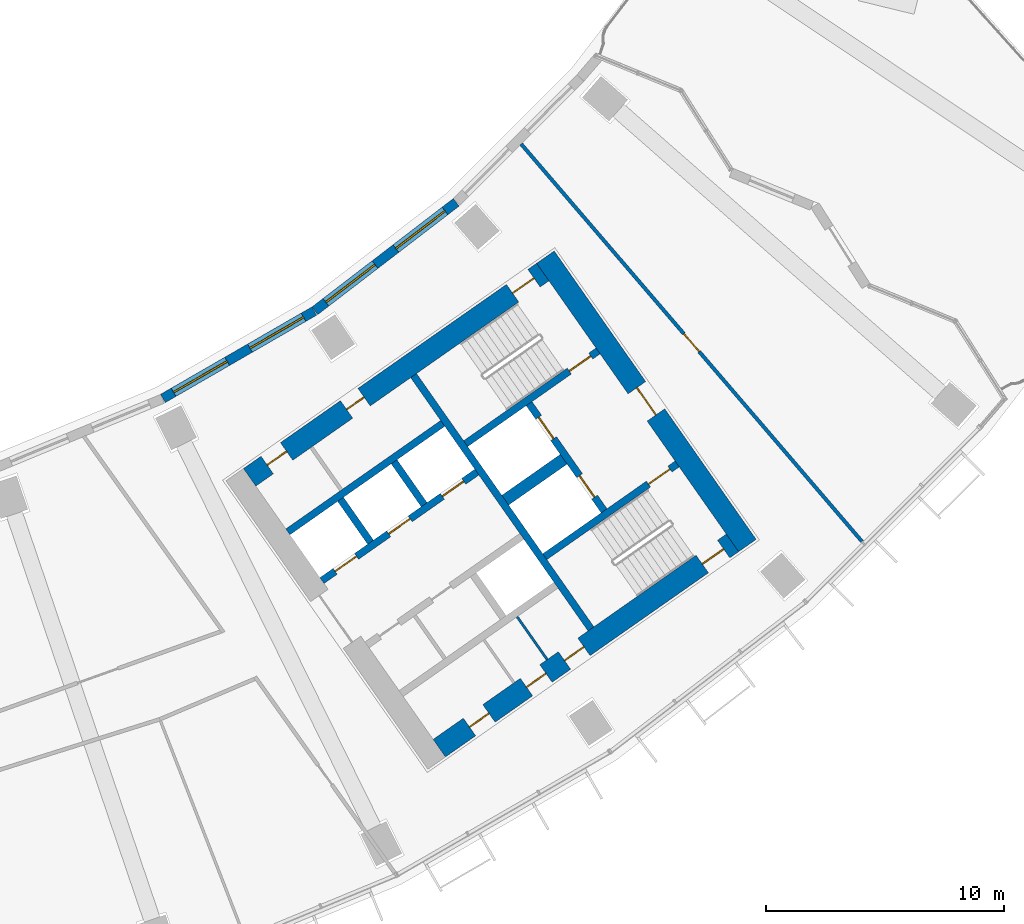
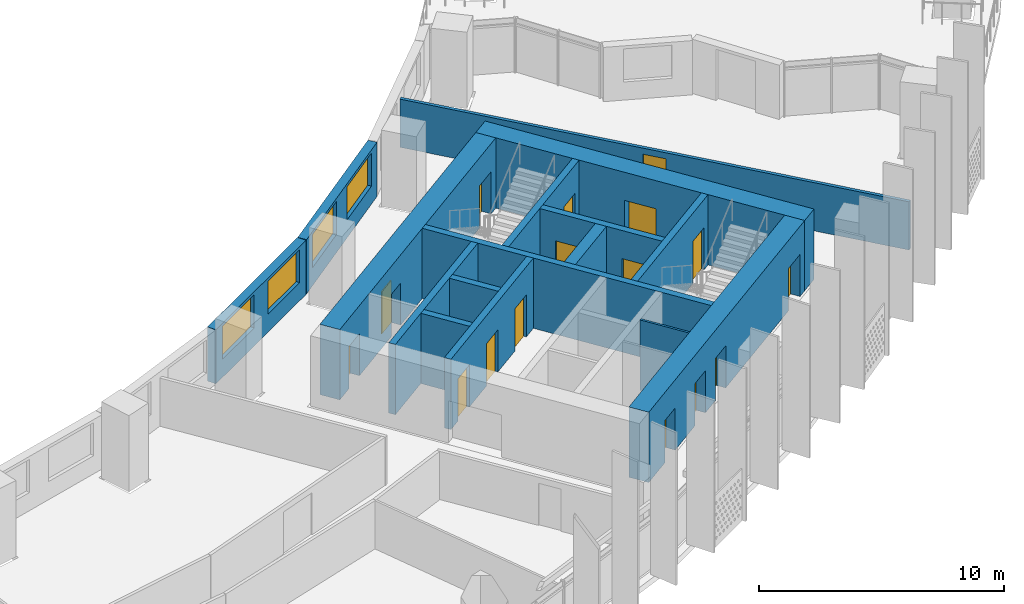
# One storey, part 7 of 33: 16 doors, 16 walls, 4 windows, 20 openings.
"""IFC4 building model written with IfcOpenShell, lengths in metres."""

import ifcopenshell
import ifcopenshell.guid

model = None  # the IFC model being written
_history = None  # IfcOwnerHistory: only IFC2X3 demands one
_inside = {}  # id of a spatial element -> (the spatial element, [elements in it])
_under = {}  # id of a project, library or spatial element -> (it, [spatial elements below it])
_declared = {}  # id of a project -> (the project, [libraries it declares])
_typed = {}  # id of a type object -> (the type object, [elements of that type])
_made_of = {}  # id of a material, layer set ... -> (it, [elements and type objects made of it])


def new_model(schema):
    """Start an empty IFC model of exactly this schema.

    Asked for "IFC4X3", IfcOpenShell would pick the latest addendum, in which some entities
    have other attributes; the version numbers below select the first issue.
    IFC2X3 requires an IfcOwnerHistory on every rooted entity: one is made here for all.
    """
    global model, _history
    if schema == "IFC4X3":
        model = ifcopenshell.file(schema_version=(4, 3, 0, 0))
    else:
        model = ifcopenshell.file(schema=schema)
    _inside.clear()
    _under.clear()
    _declared.clear()
    _typed.clear()
    _made_of.clear()
    _history = None
    if model.schema == "IFC2X3":
        org = make("IfcOrganization", Name="unknown")
        user = make(
            "IfcPersonAndOrganization",
            ThePerson=make("IfcPerson", FamilyName="unknown"),
            TheOrganization=org,
        )
        app = make(
            "IfcApplication",
            ApplicationDeveloper=org,
            Version="unknown",
            ApplicationFullName="unknown",
            ApplicationIdentifier="unknown",
        )
        _history = make(
            "IfcOwnerHistory",
            OwningUser=user,
            OwningApplication=app,
            ChangeAction="ADDED",
            CreationDate=0,
        )
    return model


def make(cls, **values):
    """One entity of the class cls with the attributes given. An attribute that is None is left unset."""
    return model.create_entity(
        cls, **{name: value for name, value in values.items() if value is not None}
    )


def rooted(cls, **values):
    """An entity with a GlobalId (a new one), such as an element, a storey or a relation."""
    return make(cls, GlobalId=ifcopenshell.guid.new(), OwnerHistory=_history, **values)


def si_unit(unit_type, name, prefix=None):
    """IfcSIUnit, for example si_unit("LENGTHUNIT", "METRE", prefix="MILLI")."""
    return make("IfcSIUnit", UnitType=unit_type, Prefix=prefix, Name=name)


def assignment(units):
    """IfcUnitAssignment: the units of a project."""
    return None if units is None else make("IfcUnitAssignment", Units=units)


def point(xyz):
    """IfcCartesianPoint."""
    return None if xyz is None else make("IfcCartesianPoint", Coordinates=xyz)


def direction(xyz):
    """IfcDirection."""
    return None if xyz is None else make("IfcDirection", DirectionRatios=xyz)


def frame(location, z_axis=None, x_axis=None):
    """IfcAxis2Placement3D, a coordinate frame: its origin and axes. An axis left out is left unset."""
    return make(
        "IfcAxis2Placement3D",
        Location=point(location),
        Axis=direction(z_axis),
        RefDirection=direction(x_axis),
    )


def frame_2d(location, x_axis=None):
    """IfcAxis2Placement2D, a coordinate frame in the plane: its origin and x axis."""
    return make(
        "IfcAxis2Placement2D", Location=point(location), RefDirection=direction(x_axis)
    )


def origin():
    """The frame at (0, 0, 0) with its axes left unset."""
    return frame((0.0, 0.0, 0.0))


def place(relative_to, where):
    """IfcLocalPlacement: puts the frame where relative to a parent placement (None: the world)."""
    return make(
        "IfcLocalPlacement", PlacementRelTo=relative_to, RelativePlacement=where
    )


def context(
    kind, dimensions, precision=None, world=None, true_north=None, identifier=None
):
    """IfcGeometricRepresentationContext, for example the 3D "Model" context."""
    return make(
        "IfcGeometricRepresentationContext",
        ContextIdentifier=identifier,
        ContextType=kind,
        CoordinateSpaceDimension=dimensions,
        Precision=precision,
        WorldCoordinateSystem=world,
        TrueNorth=true_north,
    )


def subcontext(parent, identifier, kind, view, scale=None):
    """IfcGeometricRepresentationSubContext, for example "Body" below "Model"."""
    return make(
        "IfcGeometricRepresentationSubContext",
        ContextIdentifier=identifier,
        ContextType=kind,
        ParentContext=parent,
        TargetScale=scale,
        TargetView=view,
    )


def project(units=None, contexts=None):
    """IfcProject with its units and contexts."""
    return rooted(
        "IfcProject",
        Name="project",
        RepresentationContexts=contexts,
        UnitsInContext=assignment(units),
    )


def spatial(cls, under=None, at=None, **own):
    """A site, building, storey or space (cls), placed at a placement, below another one or the project."""
    s = rooted(cls, ObjectPlacement=at, **own)
    if under is not None:
        _under.setdefault(under.id(), (under, []))[1].append(s)
    return s


def profile(cls, at=None, kind="AREA", **sizes):
    """A parametric profile (cls). Its sizes go by their IFC names, for example OverallWidth=200.0."""
    return make(cls, ProfileType=kind, Position=at, **sizes)


def rectangle(**sizes):
    """IfcRectangleProfileDef."""
    return profile("IfcRectangleProfileDef", **sizes)


def extrude(swept, where, along, depth):
    """IfcExtrudedAreaSolid: the profile swept, set in the frame where, extruded along a direction by depth."""
    return make(
        "IfcExtrudedAreaSolid",
        SweptArea=swept,
        Position=where,
        ExtrudedDirection=direction(along),
        Depth=depth,
    )


def shape(context_of_items, identifier, shape_type, items):
    """IfcShapeRepresentation: the items that make up one representation, for example the "Body"."""
    return make(
        "IfcShapeRepresentation",
        ContextOfItems=context_of_items,
        RepresentationIdentifier=identifier,
        RepresentationType=shape_type,
        Items=items,
    )


def material(Name=None, Category=None):
    """IfcMaterial."""
    return make("IfcMaterial", Name=Name, Category=Category)


def layer(
    of_material, thickness, ventilated=None, Name=None, Category=None, Priority=None
):
    """IfcMaterialLayer: one layer of a wall or slab, of a material (None: an air gap)."""
    return make(
        "IfcMaterialLayer",
        Material=of_material,
        LayerThickness=thickness,
        IsVentilated=ventilated,
        Name=Name,
        Category=Category,
        Priority=Priority,
    )


def layer_set(layers, Name=None):
    """IfcMaterialLayerSet."""
    return make("IfcMaterialLayerSet", MaterialLayers=layers, LayerSetName=Name)


def made_of(thing, what):
    """Note that an element or type object is made of a material, layer set ...; save() writes the relation."""
    if what is not None:
        _made_of.setdefault(what.id(), (what, []))[1].append(thing)
    return thing


def type_object(cls, material=None, **own):
    """A type object (cls), such as IfcWallType, which elements share."""
    return made_of(rooted(cls, **own), material)


def element(
    cls,
    number,
    at=None,
    inside=None,
    cuts=None,
    type_object=None,
    material=None,
    context=None,
    identifier="Body",
    shape_type=None,
    held_by="IfcProductDefinitionShape",
    body=None,
    shapes=None,
    **own,
):
    """One element of the class cls, such as IfcWall. Its Tag is "e" and its number.

    at: its placement. inside: the storey or other place that contains it. cuts: it is an
    opening in that element (IfcRelVoidsElement). A single representation is given by context,
    identifier, shape_type and body (its items); several are given by shapes. held_by: the class
    of the entity that holds the representations. save() writes the other relations.
    """
    e = rooted(cls, Tag="e%d" % number, ObjectPlacement=at, **own)
    if body is not None:
        shapes = [shape(context, identifier, shape_type, body)]
    if shapes is not None:
        e.Representation = make(held_by, Representations=shapes)
    if inside is not None:
        _inside.setdefault(inside.id(), (inside, []))[1].append(e)
    if cuts is not None:
        rooted(
            "IfcRelVoidsElement", RelatingBuildingElement=cuts, RelatedOpeningElement=e
        )
    if type_object is not None:
        _typed.setdefault(type_object.id(), (type_object, []))[1].append(e)
    return made_of(e, material)


def fill(opening, filler):
    """IfcRelFillsElement: the door or window that sits in an opening."""
    return rooted(
        "IfcRelFillsElement",
        RelatingOpeningElement=opening,
        RelatedBuildingElement=filler,
    )


def aggregate(whole, parts):
    """IfcRelAggregates: a whole, such as a stair, and the parts it consists of."""
    return rooted("IfcRelAggregates", RelatingObject=whole, RelatedObjects=parts)


def save(model, path):
    """Write the relations noted so far, then the file.

    IfcRelAggregates (storeys below a building ...), IfcRelContainedInSpatialStructure (elements
    in a storey), IfcRelDefinesByType, IfcRelAssociatesMaterial and IfcRelDeclares: one each for
    every whole, place, type object, material and project.
    """
    for whole, parts in _under.values():
        aggregate(whole, parts)
    for where, things in _inside.values():
        rooted(
            "IfcRelContainedInSpatialStructure",
            RelatedElements=things,
            RelatingStructure=where,
        )
    for kind, things in _typed.values():
        rooted("IfcRelDefinesByType", RelatedObjects=things, RelatingType=kind)
    for what, things in _made_of.values():
        rooted("IfcRelAssociatesMaterial", RelatedObjects=things, RelatingMaterial=what)
    for by, libraries in _declared.values():
        rooted("IfcRelDeclares", RelatingContext=by, RelatedDefinitions=libraries)
    model.write(path)


model = new_model("IFC4")

# Units and contexts
model_context = context("Model", 3, precision=1e-05, world=origin(), true_north=direction((0.0, 1.0)))
body_context = subcontext(model_context, "Body", "Model", "MODEL_VIEW")
ifc_project = project(units=[si_unit("LENGTHUNIT", "METRE"), si_unit("AREAUNIT", "SQUARE_METRE"), si_unit("VOLUMEUNIT", "CUBIC_METRE"), si_unit("PLANEANGLEUNIT", "RADIAN"), si_unit("MASSUNIT", "GRAM", prefix="KILO")], contexts=[model_context])

# Site, building, storey
site_placement = place(None, origin())
site = spatial("IfcSite", under=ifc_project, at=site_placement, CompositionType="ELEMENT")
building_placement = place(site_placement, origin())
building = spatial("IfcBuilding", under=site, at=building_placement, Name="Qamariyya Broadcast Tower", CompositionType="ELEMENT")
storey_placement = place(building_placement, frame((0.0, 0.0, 94.89990234375)))
storey = spatial("IfcBuildingStorey", under=building, at=storey_placement, Name="L20", CompositionType="ELEMENT", Elevation=94.89990234375)

# Wall, opening, door
ifc_material_1 = material(Name="Concrete C70/85", Category="concrete")
ifc_layer_1 = layer(ifc_material_1, 0.89990234375)
ifc_layer_set_1 = layer_set([ifc_layer_1], Name="Core wall 900 mm Concrete C70/85")
wall_type_1 = type_object("IfcWallType", Name="Core wall 900 mm Concrete C70/85", PredefinedType="SHEAR", material=ifc_layer_set_1)
wall_1_placement = place(storey_placement, frame((49.778564453125, -57.191162109375, 0.0), z_axis=(0.0, 0.0, 1.0), x_axis=(-0.573577477574, 0.819151315216, 0.0)))
wall_1 = element("IfcWall", 1, at=wall_1_placement, inside=storey, type_object=wall_type_1, Name="k-E-L20-WH", PredefinedType="SHEAR", context=body_context, shape_type="SweptSolid", body=[
    extrude(rectangle(XDim=14.800048828125, YDim=0.89990234375, at=frame_2d((7.39990234375, 0.0))), origin(), (0.0, 0.0, 1.0), 3.5),
])
opening_1_placement = place(wall_1_placement, frame((6.699951171875, 0.0, 0.0)))
opening_1 = element("IfcOpeningElement", 2, at=opening_1_placement, cuts=wall_1, Name="Opening KD2-E1", PredefinedType="OPENING", context=body_context, shape_type="SweptSolid", body=[
    extrude(rectangle(XDim=1.39990234375, YDim=2.10009765625, at=frame_2d((0.699951171875, 1.050048828125))), frame((0.0, 0.4599609375, 0.0), z_axis=(0.0, -1.0, 0.0), x_axis=(1.0, 0.0, 0.0)), (0.0, 0.0, 1.0), 0.919921875),
])
ifc_material_2 = material(Name="Steel fire-resisting door leaf", Category="steel")
door_type_1 = type_object("IfcDoorType", Name="Fire-fighting lobby door KD2", OperationType="DOUBLE_DOOR_SINGLE_SWING", PredefinedType="DOOR", material=ifc_material_2)
door_1_placement = place(opening_1_placement, origin())
door_1 = element("IfcDoor", 3, at=door_1_placement, inside=storey, type_object=door_type_1, Name="k-E-L20-WH-D14", OperationType="DOUBLE_DOOR_SINGLE_SWING", OverallHeight=2.10009765625, OverallWidth=1.39990234375, PredefinedType="DOOR", context=body_context, shape_type="SweptSolid", body=[
    extrude(rectangle(XDim=1.39990234375, YDim=2.10009765625, at=frame_2d((0.699951171875, 1.050048828125))), frame((0.0, 0.02490234375, 0.0), z_axis=(0.0, -1.0, 0.0), x_axis=(1.0, 0.0, 0.0)), (0.0, 0.0, 1.0), 0.050048828125),
])
fill(opening_1, door_1)

# Wall, openings, doors
wall_2_placement = place(storey_placement, frame((28.8544921875, -54.32421875, 0.0), z_axis=(0.0, 0.0, 1.0), x_axis=(0.819145767589, 0.573585400304, 0.0)))
wall_2 = element("IfcWall", 4, at=wall_2_placement, inside=storey, type_object=wall_type_1, Name="k-E-L20-WI", PredefinedType="SHEAR", context=body_context, shape_type="SweptSolid", body=[
    extrude(rectangle(XDim=15.04541015625, YDim=0.89990234375, at=frame_2d((7.522705078125, 0.0))), origin(), (0.0, 0.0, 1.0), 3.5),
])
opening_2_placement = place(wall_2_placement, frame((0.89990234375, 0.0, 0.0)))
opening_2 = element("IfcOpeningElement", 5, at=opening_2_placement, cuts=wall_2, Name="Opening KD7-E1", PredefinedType="OPENING", context=body_context, shape_type="SweptSolid", body=[
    extrude(rectangle(XDim=1.0, YDim=2.10009765625, at=frame_2d((0.5, 1.050048828125))), frame((0.0, 0.4599609375, 0.0), z_axis=(0.0, -1.0, 0.0), x_axis=(1.0, 0.0, 0.0)), (0.0, 0.0, 1.0), 0.919921875),
])
opening_3_placement = place(wall_2_placement, frame((4.97509765625, 0.0, 0.0)))
opening_3 = element("IfcOpeningElement", 6, at=opening_3_placement, cuts=wall_2, Name="Opening KD5-E1", PredefinedType="OPENING", context=body_context, shape_type="SweptSolid", body=[
    extrude(rectangle(XDim=0.89990234375, YDim=2.10009765625, at=frame_2d((0.449951171875, 1.050048828125))), frame((0.0, 0.4599609375, 0.0), z_axis=(0.0, -1.0, 0.0), x_axis=(1.0, 0.0, 0.0)), (0.0, 0.0, 1.0), 0.919921875),
])
opening_4_placement = place(wall_2_placement, frame((13.495361328125, 0.0, 0.0)))
opening_4 = element("IfcOpeningElement", 7, at=opening_4_placement, cuts=wall_2, Name="Opening KD1-E1", PredefinedType="OPENING", context=body_context, shape_type="SweptSolid", body=[
    extrude(rectangle(XDim=1.10009765625, YDim=2.10009765625, at=frame_2d((0.550048828125, 1.050048828125))), frame((0.0, 0.4599609375, 0.0), z_axis=(0.0, -1.0, 0.0), x_axis=(1.0, 0.0, 0.0)), (0.0, 0.0, 1.0), 0.919921875),
])
door_type_2 = type_object("IfcDoorType", Name="Accessible toilet door KD7", OperationType="SINGLE_SWING_LEFT", PredefinedType="DOOR", material=ifc_material_2)
door_2_placement = place(opening_2_placement, origin())
door_2 = element("IfcDoor", 8, at=door_2_placement, inside=storey, type_object=door_type_2, Name="k-E-L20-WI-D7", OperationType="SINGLE_SWING_LEFT", OverallHeight=2.10009765625, OverallWidth=1.0, PredefinedType="DOOR", context=body_context, shape_type="SweptSolid", body=[
    extrude(rectangle(XDim=1.0, YDim=2.10009765625, at=frame_2d((0.5, 1.050048828125))), frame((0.0, 0.02490234375, 0.0), z_axis=(0.0, -1.0, 0.0), x_axis=(1.0, 0.0, 0.0)), (0.0, 0.0, 1.0), 0.050048828125),
])
fill(opening_2, door_2)
door_type_3 = type_object("IfcDoorType", Name="Stair door KD1", OperationType="SINGLE_SWING_LEFT", PredefinedType="DOOR", material=ifc_material_2)
door_3_placement = place(opening_4_placement, origin())
door_3 = element("IfcDoor", 9, at=door_3_placement, inside=storey, type_object=door_type_3, Name="k-E-L20-WI-D15", OperationType="SINGLE_SWING_RIGHT", OverallHeight=2.10009765625, OverallWidth=1.10009765625, PredefinedType="DOOR", context=body_context, shape_type="SweptSolid", body=[
    extrude(rectangle(XDim=1.10009765625, YDim=2.10009765625, at=frame_2d((0.550048828125, 1.050048828125))), frame((0.0, 0.02490234375, 0.0), z_axis=(0.0, -1.0, 0.0), x_axis=(1.0, 0.0, 0.0)), (0.0, 0.0, 1.0), 0.050048828125),
])
fill(opening_4, door_3)
door_type_4 = type_object("IfcDoorType", Name="Toilet door KD5", OperationType="SINGLE_SWING_LEFT", PredefinedType="DOOR", material=ifc_material_2)
door_4_placement = place(opening_3_placement, origin())
door_4 = element("IfcDoor", 10, at=door_4_placement, inside=storey, type_object=door_type_4, Name="k-E-L20-WI-D8", OperationType="SINGLE_SWING_RIGHT", OverallHeight=2.10009765625, OverallWidth=0.89990234375, PredefinedType="DOOR", context=body_context, shape_type="SweptSolid", body=[
    extrude(rectangle(XDim=0.89990234375, YDim=2.10009765625, at=frame_2d((0.449951171875, 1.050048828125))), frame((0.0, 0.02490234375, 0.0), z_axis=(0.0, -1.0, 0.0), x_axis=(1.0, 0.0, 0.0)), (0.0, 0.0, 1.0), 0.050048828125),
])
fill(opening_3, door_4)

wall_3_placement = place(storey_placement, frame((36.827392578125, -65.710205078125, 0.0), z_axis=(0.0, 0.0, 1.0), x_axis=(0.819153391756, 0.573574511963, 0.0)))
wall_3 = element("IfcWall", 11, at=wall_3_placement, inside=storey, type_object=wall_type_1, Name="k-E-L20-WO", PredefinedType="SHEAR", context=body_context, shape_type="SweptSolid", body=[
    extrude(rectangle(XDim=15.04541015625, YDim=0.89990234375, at=frame_2d((7.522705078125, 0.0))), origin(), (0.0, 0.0, 1.0), 3.5),
])
opening_5_placement = place(wall_3_placement, frame((1.550048828125, 0.0, 0.0)))
opening_5 = element("IfcOpeningElement", 12, at=opening_5_placement, cuts=wall_3, Name="Opening KD4-E2", PredefinedType="OPENING", context=body_context, shape_type="SweptSolid", body=[
    extrude(rectangle(XDim=1.0, YDim=2.10009765625, at=frame_2d((0.5, 1.050048828125))), frame((0.0, 0.4599609375, 0.0), z_axis=(0.0, -1.0, 0.0), x_axis=(1.0, 0.0, 0.0)), (0.0, 0.0, 1.0), 0.919921875),
])
opening_6_placement = place(wall_3_placement, frame((4.47509765625, 0.0, 0.0)))
opening_6 = element("IfcOpeningElement", 13, at=opening_6_placement, cuts=wall_3, Name="Opening KD4-E3", PredefinedType="OPENING", context=body_context, shape_type="SweptSolid", body=[
    extrude(rectangle(XDim=1.0, YDim=2.10009765625, at=frame_2d((0.5, 1.050048828125))), frame((0.0, 0.4599609375, 0.0), z_axis=(0.0, -1.0, 0.0), x_axis=(1.0, 0.0, 0.0)), (0.0, 0.0, 1.0), 0.919921875),
])
opening_7_placement = place(wall_3_placement, frame((6.425048828125, 0.0, 0.0)))
opening_7 = element("IfcOpeningElement", 14, at=opening_7_placement, cuts=wall_3, Name="Opening KD4-E4", PredefinedType="OPENING", context=body_context, shape_type="SweptSolid", body=[
    extrude(rectangle(XDim=1.0, YDim=2.10009765625, at=frame_2d((0.5, 1.050048828125))), frame((0.0, 0.4599609375, 0.0), z_axis=(0.0, -1.0, 0.0), x_axis=(1.0, 0.0, 0.0)), (0.0, 0.0, 1.0), 0.919921875),
])
opening_8_placement = place(wall_3_placement, frame((13.495361328125, 0.0, 0.0)))
opening_8 = element("IfcOpeningElement", 15, at=opening_8_placement, cuts=wall_3, Name="Opening KD1-E3", PredefinedType="OPENING", context=body_context, shape_type="SweptSolid", body=[
    extrude(rectangle(XDim=1.10009765625, YDim=2.10009765625, at=frame_2d((0.550048828125, 1.050048828125))), frame((0.0, 0.4599609375, 0.0), z_axis=(0.0, -1.0, 0.0), x_axis=(1.0, 0.0, 0.0)), (0.0, 0.0, 1.0), 0.919921875),
])
door_type_5 = type_object("IfcDoorType", Name="Riser and plant door KD4", OperationType="SINGLE_SWING_LEFT", PredefinedType="DOOR", material=ifc_material_2)
door_5_placement = place(opening_5_placement, origin())
door_5 = element("IfcDoor", 16, at=door_5_placement, inside=storey, type_object=door_type_5, Name="k-E-L20-WO-D9", OperationType="SINGLE_SWING_LEFT", OverallHeight=2.10009765625, OverallWidth=1.0, PredefinedType="DOOR", context=body_context, shape_type="SweptSolid", body=[
    extrude(rectangle(XDim=1.0, YDim=2.10009765625, at=frame_2d((0.5, 1.050048828125))), frame((0.0, 0.02490234375, 0.0), z_axis=(0.0, -1.0, 0.0), x_axis=(1.0, 0.0, 0.0)), (0.0, 0.0, 1.0), 0.050048828125),
])
fill(opening_5, door_5)
door_6_placement = place(opening_6_placement, origin())
door_6 = element("IfcDoor", 17, at=door_6_placement, inside=storey, type_object=door_type_5, Name="k-E-L20-WO-D10", OperationType="SINGLE_SWING_RIGHT", OverallHeight=2.10009765625, OverallWidth=1.0, PredefinedType="DOOR", context=body_context, shape_type="SweptSolid", body=[
    extrude(rectangle(XDim=1.0, YDim=2.10009765625, at=frame_2d((0.5, 1.050048828125))), frame((0.0, 0.02490234375, 0.0), z_axis=(0.0, -1.0, 0.0), x_axis=(1.0, 0.0, 0.0)), (0.0, 0.0, 1.0), 0.050048828125),
])
fill(opening_6, door_6)
door_7_placement = place(opening_7_placement, origin())
door_7 = element("IfcDoor", 18, at=door_7_placement, inside=storey, type_object=door_type_5, Name="k-E-L20-WO-D11", OperationType="SINGLE_SWING_LEFT", OverallHeight=2.10009765625, OverallWidth=1.0, PredefinedType="DOOR", context=body_context, shape_type="SweptSolid", body=[
    extrude(rectangle(XDim=1.0, YDim=2.10009765625, at=frame_2d((0.5, 1.050048828125))), frame((0.0, 0.02490234375, 0.0), z_axis=(0.0, -1.0, 0.0), x_axis=(1.0, 0.0, 0.0)), (0.0, 0.0, 1.0), 0.050048828125),
])
fill(opening_7, door_7)
door_8_placement = place(opening_8_placement, origin())
door_8 = element("IfcDoor", 19, at=door_8_placement, inside=storey, type_object=door_type_3, Name="k-E-L20-WO-D17", OperationType="SINGLE_SWING_LEFT", OverallHeight=2.10009765625, OverallWidth=1.10009765625, PredefinedType="DOOR", context=body_context, shape_type="SweptSolid", body=[
    extrude(rectangle(XDim=1.10009765625, YDim=2.10009765625, at=frame_2d((0.550048828125, 1.050048828125))), frame((0.0, 0.02490234375, 0.0), z_axis=(0.0, -1.0, 0.0), x_axis=(1.0, 0.0, 0.0)), (0.0, 0.0, 1.0), 0.050048828125),
])
fill(opening_8, door_8)

# Wall, opening, door
ifc_material_3 = material(Name="Gypsum board partition")
ifc_layer_2 = layer(ifc_material_3, 0.14990234375)
ifc_layer_set_2 = layer_set([ifc_layer_2], Name="Corridor partition 150 EI 60")
wall_type_2 = type_object("IfcWallType", Name="Corridor partition 150 EI 60", PredefinedType="PARTITIONING", material=ifc_layer_set_2)
wall_4_placement = place(storey_placement, frame((40.267578125, -40.310791015625, 0.0), z_axis=(0.0, 0.0, 1.0), x_axis=(0.650987681244, -0.759088294514, 0.0)))
wall_4 = element("IfcWall", 20, at=wall_4_placement, inside=storey, type_object=wall_type_2, Name="Partition L20-033", PredefinedType="PARTITIONING", context=body_context, shape_type="SweptSolid", body=[
    extrude(rectangle(XDim=22.017822265625, YDim=0.14990234375, at=frame_2d((11.0087890625, 0.0))), origin(), (0.0, 0.0, 1.0), 2.400146484375),
])
opening_9_placement = place(wall_4_placement, frame((10.5087890625, 0.0, 0.0)))
opening_9 = element("IfcOpeningElement", 21, at=opening_9_placement, cuts=wall_4, Name="Opening L20-D14", PredefinedType="OPENING", context=body_context, shape_type="SweptSolid", body=[
    extrude(rectangle(XDim=1.0, YDim=2.10009765625, at=frame_2d((0.5, 1.050048828125))), frame((0.0, 0.0849609375, 0.0), z_axis=(0.0, -1.0, 0.0), x_axis=(1.0, 0.0, 0.0)), (0.0, 0.0, 1.0), 0.169921875),
])
ifc_material_4 = material(Name="Timber fire door leaf", Category="wood")
door_type_6 = type_object("IfcDoorType", Name="Fire door 1000 x 2100 FD60", OperationType="NOTDEFINED", PredefinedType="DOOR", material=ifc_material_4)
door_9_placement = place(opening_9_placement, origin())
door_9 = element("IfcDoor", 22, at=door_9_placement, inside=storey, type_object=door_type_6, Name="Door L20-D14", OperationType="SINGLE_SWING_RIGHT", OverallHeight=2.10009765625, OverallWidth=1.0, PredefinedType="DOOR", context=body_context, shape_type="SweptSolid", body=[
    extrude(rectangle(XDim=1.0, YDim=2.10009765625, at=frame_2d((0.5, 1.050048828125))), frame((0.0, 0.02490234375, 0.0), z_axis=(0.0, -1.0, 0.0), x_axis=(1.0, 0.0, 0.0)), (0.0, 0.0, 1.0), 0.050048828125),
])
fill(opening_9, door_9)

# Walls
ifc_material_5 = material(Name="Concrete C60/75", Category="concrete")
ifc_layer_3 = layer(ifc_material_5, 0.5)
ifc_layer_set_3 = layer_set([ifc_layer_3], Name="Fire-fighting lobby divider wall 500 mm Concrete C60/75")
wall_type_3 = type_object("IfcWallType", Name="Fire-fighting lobby divider wall 500 mm Concrete C60/75", PredefinedType="SOLIDWALL", material=ifc_layer_set_3)
wall_5_placement = place(storey_placement, frame((39.59912109375, -55.28515625, 0.0), z_axis=(0.0, 0.0, 1.0), x_axis=(0.819136323161, 0.573598887793, 0.0)))
element("IfcWall", 23, at=wall_5_placement, inside=storey, type_object=wall_type_3, Name="k-E-L20-FD", PredefinedType="SOLIDWALL", context=body_context, shape_type="SweptSolid", body=[
    extrude(rectangle(XDim=2.999755859375, YDim=0.5, at=frame_2d((1.5, 0.0))), origin(), (0.0, 0.0, 1.0), 3.5),
])
ifc_layer_4 = layer(ifc_material_5, 0.300048828125)
ifc_layer_set_4 = layer_set([ifc_layer_4], Name="Lift shaft wall 300 mm Concrete C60/75")
wall_type_4 = type_object("IfcWallType", Name="Lift shaft wall 300 mm Concrete C60/75", PredefinedType="SOLIDWALL", material=ifc_layer_set_4)
wall_6_placement = place(storey_placement, frame((43.204345703125, -60.69580078125, 0.0), z_axis=(0.0, 0.0, 1.0), x_axis=(-0.573571992966, 0.819155155563, 0.0)))
element("IfcWall", 24, at=wall_6_placement, inside=storey, type_object=wall_type_4, Name="k-E-L20-WL", PredefinedType="SOLIDWALL", context=body_context, shape_type="SweptSolid", body=[
    extrude(rectangle(XDim=13.000244140625, YDim=0.300048828125, at=frame_2d((6.5, 0.0))), origin(), (0.0, 0.0, 1.0), 3.5),
])

# Wall, openings, doors
wall_7_placement = place(storey_placement, frame((31.89453125, -58.66552734375, 0.0), z_axis=(0.0, 0.0, 1.0), x_axis=(0.819166993208, 0.573555086491, 0.0)))
wall_7 = element("IfcWall", 25, at=wall_7_placement, inside=storey, type_object=wall_type_4, Name="k-E-L20-NF0", PredefinedType="SOLIDWALL", context=body_context, shape_type="SweptSolid", body=[
    extrude(rectangle(XDim=7.9501953125, YDim=0.300048828125, at=frame_2d((3.97509765625, 0.0))), origin(), (0.0, 0.0, 1.0), 3.5),
])
opening_10_placement = place(wall_7_placement, frame((0.675048828125, 0.0, 0.0)))
opening_10 = element("IfcOpeningElement", 26, at=opening_10_placement, cuts=wall_7, Name="Opening LD", PredefinedType="OPENING", context=body_context, shape_type="SweptSolid", body=[
    extrude(rectangle(XDim=1.10009765625, YDim=2.10009765625, at=frame_2d((0.550048828125, 1.050048828125))), frame((0.0, 0.159912109375, 0.0), z_axis=(0.0, -1.0, 0.0), x_axis=(1.0, 0.0, 0.0)), (0.0, 0.0, 1.0), 0.320068359375),
])
opening_11_placement = place(wall_7_placement, frame((3.425048828125, 0.0, 0.0)))
opening_11 = element("IfcOpeningElement", 27, at=opening_11_placement, cuts=wall_7, Name="Opening LD", PredefinedType="OPENING", context=body_context, shape_type="SweptSolid", body=[
    extrude(rectangle(XDim=1.10009765625, YDim=2.10009765625, at=frame_2d((0.550048828125, 1.050048828125))), frame((0.0, 0.159912109375, 0.0), z_axis=(0.0, -1.0, 0.0), x_axis=(1.0, 0.0, 0.0)), (0.0, 0.0, 1.0), 0.320068359375),
])
opening_12_placement = place(wall_7_placement, frame((6.175048828125, 0.0, 0.0)))
opening_12 = element("IfcOpeningElement", 28, at=opening_12_placement, cuts=wall_7, Name="Opening LD", PredefinedType="OPENING", context=body_context, shape_type="SweptSolid", body=[
    extrude(rectangle(XDim=1.10009765625, YDim=2.10009765625, at=frame_2d((0.550048828125, 1.050048828125))), frame((0.0, 0.159912109375, 0.0), z_axis=(0.0, -1.0, 0.0), x_axis=(1.0, 0.0, 0.0)), (0.0, 0.0, 1.0), 0.320068359375),
])
door_type_7 = type_object("IfcDoorType", Name="Lift landing door LD", OperationType="DOUBLE_DOOR_SLIDING", PredefinedType="DOOR", material=ifc_material_2)
door_10_placement = place(opening_10_placement, origin())
door_10 = element("IfcDoor", 29, at=door_10_placement, inside=storey, type_object=door_type_7, Name="k-E-L20-NF0-D2", OperationType="DOUBLE_DOOR_SLIDING", OverallHeight=2.10009765625, OverallWidth=1.10009765625, PredefinedType="DOOR", context=body_context, shape_type="SweptSolid", body=[
    extrude(rectangle(XDim=1.10009765625, YDim=2.10009765625, at=frame_2d((0.550048828125, 1.050048828125))), frame((0.0, 0.02490234375, 0.0), z_axis=(0.0, -1.0, 0.0), x_axis=(1.0, 0.0, 0.0)), (0.0, 0.0, 1.0), 0.050048828125),
])
fill(opening_10, door_10)
door_11_placement = place(opening_11_placement, origin())
door_11 = element("IfcDoor", 30, at=door_11_placement, inside=storey, type_object=door_type_7, Name="k-E-L20-NF0-D3", OperationType="DOUBLE_DOOR_SLIDING", OverallHeight=2.10009765625, OverallWidth=1.10009765625, PredefinedType="DOOR", context=body_context, shape_type="SweptSolid", body=[
    extrude(rectangle(XDim=1.10009765625, YDim=2.10009765625, at=frame_2d((0.550048828125, 1.050048828125))), frame((0.0, 0.02490234375, 0.0), z_axis=(0.0, -1.0, 0.0), x_axis=(1.0, 0.0, 0.0)), (0.0, 0.0, 1.0), 0.050048828125),
])
fill(opening_11, door_11)
door_12_placement = place(opening_12_placement, origin())
door_12 = element("IfcDoor", 31, at=door_12_placement, inside=storey, type_object=door_type_7, Name="k-E-L20-NF0-D4", OperationType="DOUBLE_DOOR_SLIDING", OverallHeight=2.10009765625, OverallWidth=1.10009765625, PredefinedType="DOOR", context=body_context, shape_type="SweptSolid", body=[
    extrude(rectangle(XDim=1.10009765625, YDim=2.10009765625, at=frame_2d((0.550048828125, 1.050048828125))), frame((0.0, 0.02490234375, 0.0), z_axis=(0.0, -1.0, 0.0), x_axis=(1.0, 0.0, 0.0)), (0.0, 0.0, 1.0), 0.050048828125),
])
fill(opening_12, door_12)

# Walls
wall_8_placement = place(storey_placement, frame((30.460693359375, -56.61767578125, 0.0), z_axis=(0.0, 0.0, 1.0), x_axis=(0.819142461705, 0.573590121456, 0.0)))
element("IfcWall", 32, at=wall_8_placement, inside=storey, type_object=wall_type_4, Name="k-E-L20-NB0", PredefinedType="SOLIDWALL", context=body_context, shape_type="SweptSolid", body=[
    extrude(rectangle(XDim=7.949951171875, YDim=0.300048828125, at=frame_2d((3.97509765625, 0.0))), origin(), (0.0, 0.0, 1.0), 3.5),
])
wall_9_placement = place(storey_placement, frame((33.9384765625, -57.051513671875, 0.0), z_axis=(0.0, 0.0, 1.0), x_axis=(-0.573581496053, 0.819148501424, 0.0)))
element("IfcWall", 33, at=wall_9_placement, inside=storey, type_object=wall_type_4, Name="k-E-L20-ND0", PredefinedType="SOLIDWALL", context=body_context, shape_type="SweptSolid", body=[
    extrude(rectangle(XDim=2.2001953125, YDim=0.300048828125, at=frame_2d((1.10009765625, 0.0))), origin(), (0.0, 0.0, 1.0), 3.5),
])
wall_10_placement = place(storey_placement, frame((36.19091796875, -55.47412109375, 0.0), z_axis=(0.0, 0.0, 1.0), x_axis=(-0.573507030513, 0.819200638399, 0.0)))
element("IfcWall", 34, at=wall_10_placement, inside=storey, type_object=wall_type_4, Name="k-E-L20-ND1", PredefinedType="SOLIDWALL", context=body_context, shape_type="SweptSolid", body=[
    extrude(rectangle(XDim=2.199951171875, YDim=0.300048828125, at=frame_2d((1.10009765625, 0.0))), origin(), (0.0, 0.0, 1.0), 3.5),
])

# Wall, opening, door
wall_11_placement = place(storey_placement, frame((37.935546875, -52.90966796875, 0.0), z_axis=(0.0, 0.0, 1.0), x_axis=(0.819147518138, 0.57358290031, 0.0)))
wall_11 = element("IfcWall", 35, at=wall_11_placement, inside=storey, type_object=wall_type_4, Name="k-E-L20-NW", PredefinedType="SOLIDWALL", context=body_context, shape_type="SweptSolid", body=[
    extrude(rectangle(XDim=6.79541015625, YDim=0.300048828125, at=frame_2d((3.397705078125, 0.0))), origin(), (0.0, 0.0, 1.0), 3.5),
])
opening_13_placement = place(wall_11_placement, frame((5.3203125, 0.0, 0.0)))
opening_13 = element("IfcOpeningElement", 36, at=opening_13_placement, cuts=wall_11, Name="Opening KD1-E2", PredefinedType="OPENING", context=body_context, shape_type="SweptSolid", body=[
    extrude(rectangle(XDim=1.10009765625, YDim=2.10009765625, at=frame_2d((0.550048828125, 1.050048828125))), frame((0.0, 0.159912109375, 0.0), z_axis=(0.0, -1.0, 0.0), x_axis=(1.0, 0.0, 0.0)), (0.0, 0.0, 1.0), 0.320068359375),
])
door_13_placement = place(opening_13_placement, origin())
door_13 = element("IfcDoor", 37, at=door_13_placement, inside=storey, type_object=door_type_3, Name="k-E-L20-NW-D16", OperationType="SINGLE_SWING_RIGHT", OverallHeight=2.10009765625, OverallWidth=1.10009765625, PredefinedType="DOOR", context=body_context, shape_type="SweptSolid", body=[
    extrude(rectangle(XDim=1.10009765625, YDim=2.10009765625, at=frame_2d((0.550048828125, 1.050048828125))), frame((0.0, 0.02490234375, 0.0), z_axis=(0.0, -1.0, 0.0), x_axis=(1.0, 0.0, 0.0)), (0.0, 0.0, 1.0), 0.050048828125),
])
fill(opening_13, door_13)

wall_12_placement = place(storey_placement, frame((41.262451171875, -57.66064453125, 0.0), z_axis=(0.0, 0.0, 1.0), x_axis=(0.819164398642, 0.573558792102, 0.0)))
wall_12 = element("IfcWall", 38, at=wall_12_placement, inside=storey, type_object=wall_type_4, Name="k-E-L20-SW", PredefinedType="SOLIDWALL", context=body_context, shape_type="SweptSolid", body=[
    extrude(rectangle(XDim=6.795166015625, YDim=0.300048828125, at=frame_2d((3.3974609375, 0.0))), origin(), (0.0, 0.0, 1.0), 3.5),
])
opening_14_placement = place(wall_12_placement, frame((5.3203125, 0.0, 0.0)))
opening_14 = element("IfcOpeningElement", 39, at=opening_14_placement, cuts=wall_12, Name="Opening KD1-E4", PredefinedType="OPENING", context=body_context, shape_type="SweptSolid", body=[
    extrude(rectangle(XDim=1.10009765625, YDim=2.10009765625, at=frame_2d((0.550048828125, 1.050048828125))), frame((0.0, 0.159912109375, 0.0), z_axis=(0.0, -1.0, 0.0), x_axis=(1.0, 0.0, 0.0)), (0.0, 0.0, 1.0), 0.320068359375),
])
door_14_placement = place(opening_14_placement, origin())
door_14 = element("IfcDoor", 40, at=door_14_placement, inside=storey, type_object=door_type_3, Name="k-E-L20-SW-D18", OperationType="SINGLE_SWING_RIGHT", OverallHeight=2.10009765625, OverallWidth=1.10009765625, PredefinedType="DOOR", context=body_context, shape_type="SweptSolid", body=[
    extrude(rectangle(XDim=1.10009765625, YDim=2.10009765625, at=frame_2d((0.550048828125, 1.050048828125))), frame((0.0, 0.02490234375, 0.0), z_axis=(0.0, -1.0, 0.0), x_axis=(1.0, 0.0, 0.0)), (0.0, 0.0, 1.0), 0.050048828125),
])
fill(opening_14, door_14)

# Wall, openings, doors
wall_13_placement = place(storey_placement, frame((43.756591796875, -55.731201171875, 0.0), z_axis=(0.0, 0.0, 1.0), x_axis=(-0.573536818435, 0.819179783625, 0.0)))
wall_13 = element("IfcWall", 41, at=wall_13_placement, inside=storey, type_object=wall_type_4, Name="k-E-L20-FF", PredefinedType="SOLIDWALL", context=body_context, shape_type="SweptSolid", body=[
    extrude(rectangle(XDim=5.500244140625, YDim=0.300048828125, at=frame_2d((2.75, 0.0))), origin(), (0.0, 0.0, 1.0), 3.5),
])
opening_15_placement = place(wall_13_placement, frame((0.699951171875, 0.0, 0.0)))
opening_15 = element("IfcOpeningElement", 42, at=opening_15_placement, cuts=wall_13, Name="Opening LD", PredefinedType="OPENING", context=body_context, shape_type="SweptSolid", body=[
    extrude(rectangle(XDim=1.10009765625, YDim=2.10009765625, at=frame_2d((0.550048828125, 1.050048828125))), frame((0.0, 0.159912109375, 0.0), z_axis=(0.0, -1.0, 0.0), x_axis=(1.0, 0.0, 0.0)), (0.0, 0.0, 1.0), 0.320068359375),
])
opening_16_placement = place(wall_13_placement, frame((3.699951171875, 0.0, 0.0)))
opening_16 = element("IfcOpeningElement", 43, at=opening_16_placement, cuts=wall_13, Name="Opening LD", PredefinedType="OPENING", context=body_context, shape_type="SweptSolid", body=[
    extrude(rectangle(XDim=1.10009765625, YDim=2.10009765625, at=frame_2d((0.550048828125, 1.050048828125))), frame((0.0, 0.159912109375, 0.0), z_axis=(0.0, -1.0, 0.0), x_axis=(1.0, 0.0, 0.0)), (0.0, 0.0, 1.0), 0.320068359375),
])
door_15_placement = place(opening_15_placement, origin())
door_15 = element("IfcDoor", 44, at=door_15_placement, inside=storey, type_object=door_type_7, Name="k-E-L20-FF-D12", OperationType="DOUBLE_DOOR_SLIDING", OverallHeight=2.10009765625, OverallWidth=1.10009765625, PredefinedType="DOOR", context=body_context, shape_type="SweptSolid", body=[
    extrude(rectangle(XDim=1.10009765625, YDim=2.10009765625, at=frame_2d((0.550048828125, 1.050048828125))), frame((0.0, 0.02490234375, 0.0), z_axis=(0.0, -1.0, 0.0), x_axis=(1.0, 0.0, 0.0)), (0.0, 0.0, 1.0), 0.050048828125),
])
fill(opening_15, door_15)
door_16_placement = place(opening_16_placement, origin())
door_16 = element("IfcDoor", 45, at=door_16_placement, inside=storey, type_object=door_type_7, Name="k-E-L20-FF-D13", OperationType="DOUBLE_DOOR_SLIDING", OverallHeight=2.10009765625, OverallWidth=1.10009765625, PredefinedType="DOOR", context=body_context, shape_type="SweptSolid", body=[
    extrude(rectangle(XDim=1.10009765625, YDim=2.10009765625, at=frame_2d((0.550048828125, 1.050048828125))), frame((0.0, 0.02490234375, 0.0), z_axis=(0.0, -1.0, 0.0), x_axis=(1.0, 0.0, 0.0)), (0.0, 0.0, 1.0), 0.050048828125),
])
fill(opening_16, door_16)

# Wall
ifc_material_6 = material(Name="Fire-rated gypsum shaft liner on steel studs", Category="steel")
ifc_layer_5 = layer(ifc_material_6, 0.10009765625)
ifc_layer_set_5 = layer_set([ifc_layer_5], Name="Riser wall 100 mm")
wall_type_5 = type_object("IfcWallType", Name="Riser wall 100 mm", PredefinedType="PLUMBINGWALL", material=ifc_layer_set_5)
wall_14_placement = place(storey_placement, frame((40.099365234375, -60.18408203125, 0.0), z_axis=(0.0, 0.0, 1.0), x_axis=(0.573633636671, -0.819111989218, 0.0)))
element("IfcWall", 46, at=wall_14_placement, inside=storey, type_object=wall_type_5, Name="k-E-L20-SP585", PredefinedType="PLUMBINGWALL", context=body_context, shape_type="SweptSolid", body=[
    extrude(rectangle(XDim=2.199951171875, YDim=0.10009765625, at=frame_2d((1.10009765625, 0.0))), origin(), (0.0, 0.0, 1.0), 3.5),
])

# Wall, openings, windows
ifc_material_7 = material(Name="Terracotta", Category="masonry")
ifc_layer_6 = layer(ifc_material_7, 0.39990234375)
ifc_layer_set_6 = layer_set([ifc_layer_6], Name="Terracotta clad wall 400")
wall_type_6 = type_object("IfcWallType", Name="Terracotta clad wall 400", PredefinedType="SOLIDWALL", material=ifc_layer_set_6)
wall_15_placement = place(storey_placement, frame((31.568359375, -47.33642578125, 0.0), z_axis=(0.0, 0.0, 1.0), x_axis=(-0.866030525931, -0.499991128077, 0.0)))
wall_15 = element("IfcWall", 47, at=wall_15_placement, inside=storey, type_object=wall_type_6, Name="e-wl-L20-in130", PredefinedType="SOLIDWALL", context=body_context, shape_type="SweptSolid", body=[
    extrude(rectangle(XDim=7.341552734375, YDim=0.39990234375, at=frame_2d((3.6708984375, 0.0))), origin(), (0.0, 0.0, 1.0), 2.7001953125),
])
opening_17_placement = place(wall_15_placement, frame((4.224853515625, 0.0, 0.89990234375)))
opening_17 = element("IfcOpeningElement", 48, at=opening_17_placement, cuts=wall_15, Name="Opening W1", PredefinedType="OPENING", context=body_context, shape_type="SweptSolid", body=[
    extrude(rectangle(XDim=2.60009765625, YDim=1.64990234375, at=frame_2d((1.300048828125, 0.824951171875))), frame((0.0, 0.2099609375, 0.0), z_axis=(0.0, -1.0, 0.0), x_axis=(1.0, 0.0, 0.0)), (0.0, 0.0, 1.0), 0.419921875),
])
opening_18_placement = place(wall_15_placement, frame((0.5166015625, 0.0, 0.89990234375)))
opening_18 = element("IfcOpeningElement", 49, at=opening_18_placement, cuts=wall_15, Name="Opening W1", PredefinedType="OPENING", context=body_context, shape_type="SweptSolid", body=[
    extrude(rectangle(XDim=2.60009765625, YDim=1.64990234375, at=frame_2d((1.300048828125, 0.824951171875))), frame((0.0, 0.2099609375, 0.0), z_axis=(0.0, -1.0, 0.0), x_axis=(1.0, 0.0, 0.0)), (0.0, 0.0, 1.0), 0.419921875),
])
ifc_material_8 = material(Name="Clear low-e double glazed unit in aluminium frame", Category="aluminium")
window_type = type_object("IfcWindowType", Name="Ribbon window 2600 x 1650", PartitioningType="SINGLE_PANEL", PredefinedType="WINDOW", material=ifc_material_8)
window_1_placement = place(opening_17_placement, origin())
window_1 = element("IfcWindow", 50, at=window_1_placement, inside=storey, type_object=window_type, Name="e-w-L20-in13-0", OverallHeight=1.64990234375, OverallWidth=2.60009765625, PartitioningType="SINGLE_PANEL", PredefinedType="WINDOW", context=body_context, shape_type="SweptSolid", body=[
    extrude(rectangle(XDim=2.60009765625, YDim=1.64990234375, at=frame_2d((1.300048828125, 0.824951171875))), frame((0.0, 0.030029296875, 0.0), z_axis=(0.0, -1.0, 0.0), x_axis=(1.0, 0.0, 0.0)), (0.0, 0.0, 1.0), 0.06005859375),
])
fill(opening_17, window_1)
window_2_placement = place(opening_18_placement, origin())
window_2 = element("IfcWindow", 51, at=window_2_placement, inside=storey, type_object=window_type, Name="e-w-L20-in13-1", OverallHeight=1.64990234375, OverallWidth=2.60009765625, PartitioningType="SINGLE_PANEL", PredefinedType="WINDOW", context=body_context, shape_type="SweptSolid", body=[
    extrude(rectangle(XDim=2.60009765625, YDim=1.64990234375, at=frame_2d((1.300048828125, 0.824951171875))), frame((0.0, 0.030029296875, 0.0), z_axis=(0.0, -1.0, 0.0), x_axis=(1.0, 0.0, 0.0)), (0.0, 0.0, 1.0), 0.06005859375),
])
fill(opening_18, window_2)

wall_16_placement = place(storey_placement, frame((37.536865234375, -42.764892578125, 0.0), z_axis=(0.0, 0.0, 1.0), x_axis=(-0.793363487476, -0.608748204711, 0.0)))
wall_16 = element("IfcWall", 52, at=wall_16_placement, inside=storey, type_object=wall_type_6, Name="e-wl-L20-in140", PredefinedType="SOLIDWALL", context=body_context, shape_type="SweptSolid", body=[
    extrude(rectangle(XDim=7.492919921875, YDim=0.39990234375, at=frame_2d((3.74658203125, 0.0))), origin(), (0.0, 0.0, 1.0), 2.7001953125),
])
opening_19_placement = place(wall_16_placement, frame((4.300537109375, 0.0, 0.89990234375)))
opening_19 = element("IfcOpeningElement", 53, at=opening_19_placement, cuts=wall_16, Name="Opening W1", PredefinedType="OPENING", context=body_context, shape_type="SweptSolid", body=[
    extrude(rectangle(XDim=2.60009765625, YDim=1.64990234375, at=frame_2d((1.300048828125, 0.824951171875))), frame((0.0, 0.2099609375, 0.0), z_axis=(0.0, -1.0, 0.0), x_axis=(1.0, 0.0, 0.0)), (0.0, 0.0, 1.0), 0.419921875),
])
opening_20_placement = place(wall_16_placement, frame((0.59228515625, 0.0, 0.89990234375)))
opening_20 = element("IfcOpeningElement", 54, at=opening_20_placement, cuts=wall_16, Name="Opening W1", PredefinedType="OPENING", context=body_context, shape_type="SweptSolid", body=[
    extrude(rectangle(XDim=2.60009765625, YDim=1.64990234375, at=frame_2d((1.300048828125, 0.824951171875))), frame((0.0, 0.2099609375, 0.0), z_axis=(0.0, -1.0, 0.0), x_axis=(1.0, 0.0, 0.0)), (0.0, 0.0, 1.0), 0.419921875),
])
window_3_placement = place(opening_19_placement, origin())
window_3 = element("IfcWindow", 55, at=window_3_placement, inside=storey, type_object=window_type, Name="e-w-L20-in14-0", OverallHeight=1.64990234375, OverallWidth=2.60009765625, PartitioningType="SINGLE_PANEL", PredefinedType="WINDOW", context=body_context, shape_type="SweptSolid", body=[
    extrude(rectangle(XDim=2.60009765625, YDim=1.64990234375, at=frame_2d((1.300048828125, 0.824951171875))), frame((0.0, 0.030029296875, 0.0), z_axis=(0.0, -1.0, 0.0), x_axis=(1.0, 0.0, 0.0)), (0.0, 0.0, 1.0), 0.06005859375),
])
fill(opening_19, window_3)
window_4_placement = place(opening_20_placement, origin())
window_4 = element("IfcWindow", 56, at=window_4_placement, inside=storey, type_object=window_type, Name="e-w-L20-in14-1", OverallHeight=1.64990234375, OverallWidth=2.60009765625, PartitioningType="SINGLE_PANEL", PredefinedType="WINDOW", context=body_context, shape_type="SweptSolid", body=[
    extrude(rectangle(XDim=2.60009765625, YDim=1.64990234375, at=frame_2d((1.300048828125, 0.824951171875))), frame((0.0, 0.030029296875, 0.0), z_axis=(0.0, -1.0, 0.0), x_axis=(1.0, 0.0, 0.0)), (0.0, 0.0, 1.0), 0.06005859375),
])
fill(opening_20, window_4)

save(model, "model.ifc")
